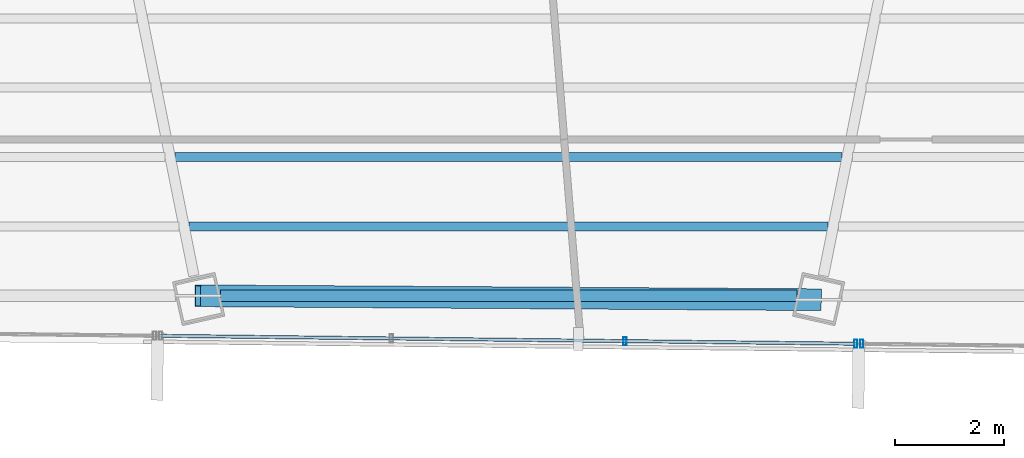
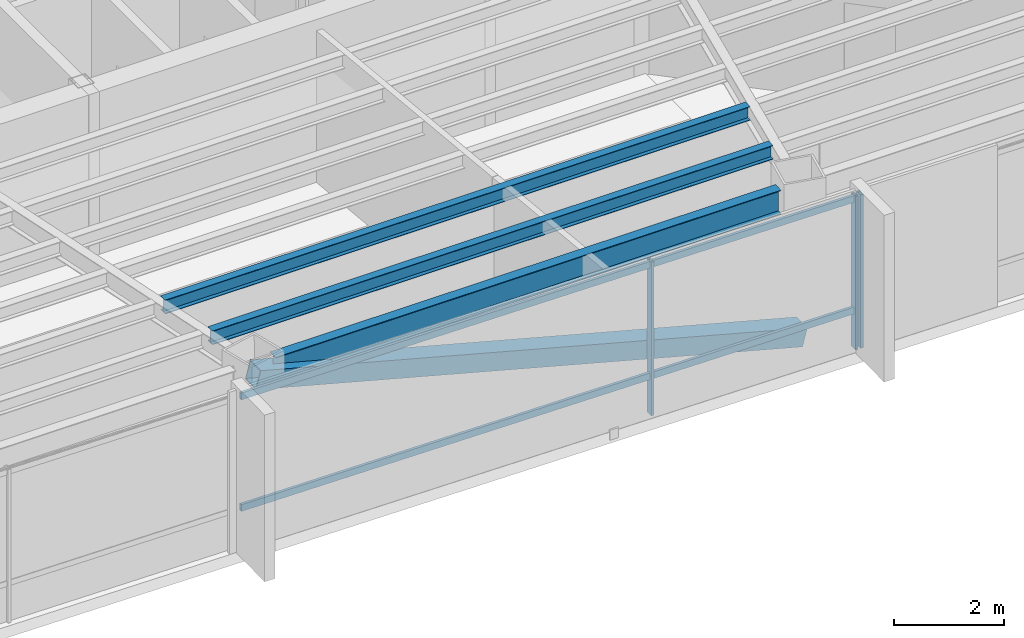
# One storey, part 10 of 41: 6 members, 3 beams, 2 elements without a shape of their own.
"""IFC4 building model written with IfcOpenShell, lengths in metres."""

from ifc_helpers import new_model, si_unit, direction, frame, origin, origin_2d, place, context, subcontext, project, spatial, hollow_rectangle, i_section, extrude, source, transform, mapped, material, material_profile, profile_set, type_object, type_shapes, element, aggregate, save


model = new_model("IFC4")

# Units and contexts
model_context = context("Model", 3, precision=1e-05, world=origin(), true_north=direction((0.0, 1.0)))
body_context = subcontext(model_context, "Body", "Model", "MODEL_VIEW")
ifc_project = project(units=[si_unit("LENGTHUNIT", "METRE"), si_unit("AREAUNIT", "SQUARE_METRE"), si_unit("VOLUMEUNIT", "CUBIC_METRE"), si_unit("PLANEANGLEUNIT", "RADIAN"), si_unit("MASSUNIT", "GRAM", prefix="KILO")], contexts=[model_context])

# Site, building, storey
site_placement = place(None, origin())
site = spatial("IfcSite", under=ifc_project, at=site_placement, CompositionType="ELEMENT")
building_placement = place(site_placement, origin())
building = spatial("IfcBuilding", under=site, at=building_placement, Name="Caelisora Broadcast Tower", CompositionType="ELEMENT")
storey_placement = place(building_placement, frame((0.0, 0.0, 209.60009765625)))
storey = spatial("IfcBuildingStorey", under=building, at=storey_placement, Name="L55", CompositionType="ELEMENT", Elevation=209.60009765625)

# Beams
ifc_material_1 = material(Name="Steel Grade 350 (AS/NZS 3679.1)", Category="steel")
ifc_material_profile_1 = material_profile(ifc_material_1, i_section(OverallWidth=0.208984375, OverallDepth=0.532958984375, WebThickness=0.01025390625, FlangeThickness=0.015625, at=origin_2d()), Name="Steel Grade 350 (AS/NZS 3679.1)")
ifc_profile_set_1 = profile_set([ifc_material_profile_1], Name="Steel Grade 350 (AS/NZS 3679.1)")
beam_type_1 = type_object("IfcBeamType", Name="PG05", PredefinedType="BEAM", material=ifc_profile_set_1)
shared_shape_1 = source(origin(), body_context, "Body", "SweptSolid", [
    extrude(i_section(OverallWidth=0.208984375, OverallDepth=0.532958984375, WebThickness=0.01025390625, FlangeThickness=0.015625, at=origin_2d()), origin(), (0.0, 0.0, 1.0), 10.58984375),
])
type_shapes(beam_type_1, [shared_shape_1])
beam_1_placement = place(storey_placement, frame((32.705078125, 8.477294921875, 3.13330078125), z_axis=(1.0, 0.0, 0.0), x_axis=(0.0, 1.0, 0.0)))
element("IfcBeam", 1, at=beam_1_placement, inside=storey, type_object=beam_type_1, Name="L55 beam PG05", PredefinedType="BEAM", context=body_context, shape_type="MappedRepresentation", body=[
    mapped(shared_shape_1, transform((0.0, 0.0, 0.0), scale=1.0)),
])
ifc_material_profile_2 = material_profile(ifc_material_1, i_section(OverallWidth=0.166015625, OverallDepth=0.30712890625, WebThickness=0.006591796875, FlangeThickness=0.01171875, at=origin_2d()), Name="Steel Grade 350 (AS/NZS 3679.1)")
ifc_profile_set_2 = profile_set([ifc_material_profile_2], Name="Steel Grade 350 (AS/NZS 3679.1)")
beam_type_2 = type_object("IfcBeamType", Name="SB03", PredefinedType="JOIST", material=ifc_profile_set_2)
shared_shape_2 = source(origin(), body_context, "Body", "SweptSolid", [
    extrude(i_section(OverallWidth=0.166015625, OverallDepth=0.30712890625, WebThickness=0.006591796875, FlangeThickness=0.01171875, at=origin_2d()), origin(), (0.0, 0.0, 1.0), 12.25537109375),
])
beam_2_placement = place(storey_placement, frame((31.872314453125, 11.026611328125, 3.246337890625), z_axis=(1.0, 0.0, 0.0), x_axis=(0.0, 1.0, 0.0)))
element("IfcBeam", 2, at=beam_2_placement, inside=storey, type_object=beam_type_2, Name="L55 beam SB03", PredefinedType="JOIST", context=body_context, shape_type="MappedRepresentation", body=[
    mapped(shared_shape_2, transform((0.0, 0.0, 0.0), scale=1.0)),
])
shared_shape_3 = source(origin(), body_context, "Body", "SweptSolid", [
    extrude(i_section(OverallWidth=0.166015625, OverallDepth=0.30712890625, WebThickness=0.006591796875, FlangeThickness=0.01171875, at=origin_2d()), origin(), (0.0, 0.0, 1.0), 11.744140625),
])
type_shapes(beam_type_2, [shared_shape_2, shared_shape_3])
beam_3_placement = place(storey_placement, frame((32.1279296875, 9.751953125, 3.246337890625), z_axis=(1.0, 0.0, 0.0), x_axis=(0.0, 1.0, 0.0)))
element("IfcBeam", 3, at=beam_3_placement, inside=storey, type_object=beam_type_2, Name="L55 beam SB03", PredefinedType="JOIST", context=body_context, shape_type="MappedRepresentation", body=[
    mapped(shared_shape_3, transform((0.0, 0.0, 0.0), scale=1.0)),
])

# Member
ifc_material_2 = material(Name="Steel Grade 450 (AS/NZS 1163 C450L0)", Category="steel")
ifc_material_profile_3 = material_profile(ifc_material_2, hollow_rectangle(XDim=0.39990234375, YDim=0.39990234375, WallThickness=0.01611328125, at=origin_2d()), Name="Steel Grade 450 (AS/NZS 1163 C450L0)")
ifc_profile_set_3 = profile_set([ifc_material_profile_3], Name="Steel Grade 450 (AS/NZS 1163 C450L0)")
member_type_1 = type_object("IfcMemberType", Name="BR04", PredefinedType="BRACE", material=ifc_profile_set_3)
shared_shape_4 = source(origin(), body_context, "Body", "SweptSolid", [
    extrude(hollow_rectangle(XDim=0.39990234375, YDim=0.39990234375, WallThickness=0.01611328125, at=origin_2d()), origin(), (0.0, 0.0, 1.0), 11.793701171875),
])
type_shapes(member_type_1, [shared_shape_4])
member_1_placement = place(storey_placement, frame((32.2890625, 8.477294921875, 3.099853515625), z_axis=(0.967086553069, -0.006148183879, -0.254373345123), x_axis=(0.006357300303, 0.999979792162, 0.0)))
element("IfcMember", 4, at=member_1_placement, inside=storey, type_object=member_type_1, Name="L55 perimeter brace BR04", PredefinedType="BRACE", context=body_context, shape_type="MappedRepresentation", body=[
    mapped(shared_shape_4, transform((0.0, 0.0, 0.0), scale=1.0)),
])

# Curtain wall, member
ifc_material_3 = material(Name="Unitised Aluminium and Low-E Glass Curtain Wall", Category="glass")
curtain_wall_type_1 = type_object("IfcCurtainWallType", Name="CW-Z4", PredefinedType="NOTDEFINED", material=ifc_material_3)
curtain_wall_1_placement = place(storey_placement, origin())
curtain_wall_1 = element("IfcCurtainWall", 5, at=curtain_wall_1_placement, inside=storey, type_object=curtain_wall_type_1, Name="L55 curtain wall CW-Z4", PredefinedType="NOTDEFINED")
ifc_material_4 = material(Name="Aluminium 6063-T6 Anodised Terracotta Bronze", Category="aluminium")
ifc_material_profile_4 = material_profile(ifc_material_4, hollow_rectangle(XDim=0.06005859375, YDim=0.14990234375, WallThickness=0.00341796875, at=origin_2d()), Name="Aluminium 6063-T6 Anodised Terracotta Bronze")
ifc_profile_set_4 = profile_set([ifc_material_profile_4], Name="Aluminium 6063-T6 Anodised Terracotta Bronze")
member_type_2 = type_object("IfcMemberType", Name="CWM-03", PredefinedType="MULLION", material=ifc_profile_set_4)
shared_shape_5 = source(origin(), body_context, "Body", "SweptSolid", [
    extrude(hollow_rectangle(XDim=0.06005859375, YDim=0.14990234375, WallThickness=0.00341796875, at=origin_2d()), origin(), (0.0, 0.0, 1.0), 3.39990234375),
])
type_shapes(member_type_2, [shared_shape_5])
member_2_placement = place(storey_placement, frame((44.490234375, 7.593994140625, 0.0), z_axis=(0.0, 0.0, 1.0), x_axis=(1.0, 0.0, 0.0)))
member_2 = element("IfcMember", 6, at=member_2_placement, type_object=member_type_2, Name="L55-CW-B05 mullion #3", PredefinedType="MULLION", context=body_context, shape_type="MappedRepresentation", body=[
    mapped(shared_shape_5, transform((0.0, 0.0, 0.0), scale=1.0)),
])
aggregate(curtain_wall_1, [member_2])

# Curtain wall, members
ifc_material_5 = material(Name="Unitised Aluminium Insulated Shadow-Box Spandrel Curtain Wall", Category="aluminium")
curtain_wall_type_2 = type_object("IfcCurtainWallType", Name="CW-SP2", PredefinedType="NOTDEFINED", material=ifc_material_5)
curtain_wall_2_placement = place(storey_placement, origin())
curtain_wall_2 = element("IfcCurtainWall", 7, at=curtain_wall_2_placement, inside=storey, type_object=curtain_wall_type_2, Name="L55 curtain wall CW-SP2", PredefinedType="NOTDEFINED")
member_3_placement = place(storey_placement, frame((44.38037109375, 7.59521484375, 0.0), z_axis=(0.0, 0.0, 1.0), x_axis=(1.0, 0.0, 0.0)))
member_3 = element("IfcMember", 8, at=member_3_placement, type_object=member_type_2, Name="L55-CW-B06 mullion #0", PredefinedType="MULLION", context=body_context, shape_type="MappedRepresentation", body=[
    mapped(shared_shape_5, transform((0.0, 0.0, 0.0), scale=1.0)),
])
member_4_placement = place(storey_placement, frame((40.1376953125, 7.643798828125, 0.0), z_axis=(0.0, 0.0, 1.0), x_axis=(1.0, 0.0, 0.0)))
member_4 = element("IfcMember", 9, at=member_4_placement, type_object=member_type_2, Name="L55-CW-B06 mullion #1", PredefinedType="MULLION", context=body_context, shape_type="MappedRepresentation", body=[
    mapped(shared_shape_5, transform((0.0, 0.0, 0.0), scale=1.0)),
])
ifc_material_profile_5 = material_profile(ifc_material_4, hollow_rectangle(XDim=0.06005859375, YDim=0.14990234375, WallThickness=0.00341796875, at=origin_2d()), Name="Aluminium 6063-T6 Anodised Terracotta Bronze")
ifc_profile_set_5 = profile_set([ifc_material_profile_5], Name="Aluminium 6063-T6 Anodised Terracotta Bronze")
member_type_3 = type_object("IfcMemberType", Name="CWT-02", PredefinedType="USERDEFINED", material=ifc_profile_set_5)
shared_shape_6 = source(origin(), body_context, "Body", "SweptSolid", [
    extrude(hollow_rectangle(XDim=0.06005859375, YDim=0.14990234375, WallThickness=0.00341796875, at=origin_2d()), origin(), (0.0, 0.0, 1.0), 12.7783203125),
])
type_shapes(member_type_3, [shared_shape_6])
member_5_placement = place(storey_placement, frame((44.38037109375, 7.59521484375, 0.849853515625), z_axis=(-0.999934730212, 0.011425205279, 0.0), x_axis=(-0.011425205279, -0.999934730212, 0.0)))
member_5 = element("IfcMember", 10, at=member_5_placement, type_object=member_type_3, Name="L55-CW-B06 transom #1", ObjectType="TRANSOM", PredefinedType="USERDEFINED", context=body_context, shape_type="MappedRepresentation", body=[
    mapped(shared_shape_6, transform((0.0, 0.0, 0.0), scale=1.0)),
])
member_6_placement = place(storey_placement, frame((44.38037109375, 7.59521484375, 3.31982421875), z_axis=(-0.999934730212, 0.011425205279, 0.0), x_axis=(-0.011425205279, -0.999934730212, 0.0)))
member_6 = element("IfcMember", 11, at=member_6_placement, type_object=member_type_3, Name="L55-CW-B06 transom #2", ObjectType="TRANSOM", PredefinedType="USERDEFINED", context=body_context, shape_type="MappedRepresentation", body=[
    mapped(shared_shape_6, transform((0.0, 0.0, 0.0), scale=1.0)),
])
aggregate(curtain_wall_2, [member_3, member_4, member_5, member_6])

save(model, "model.ifc")
